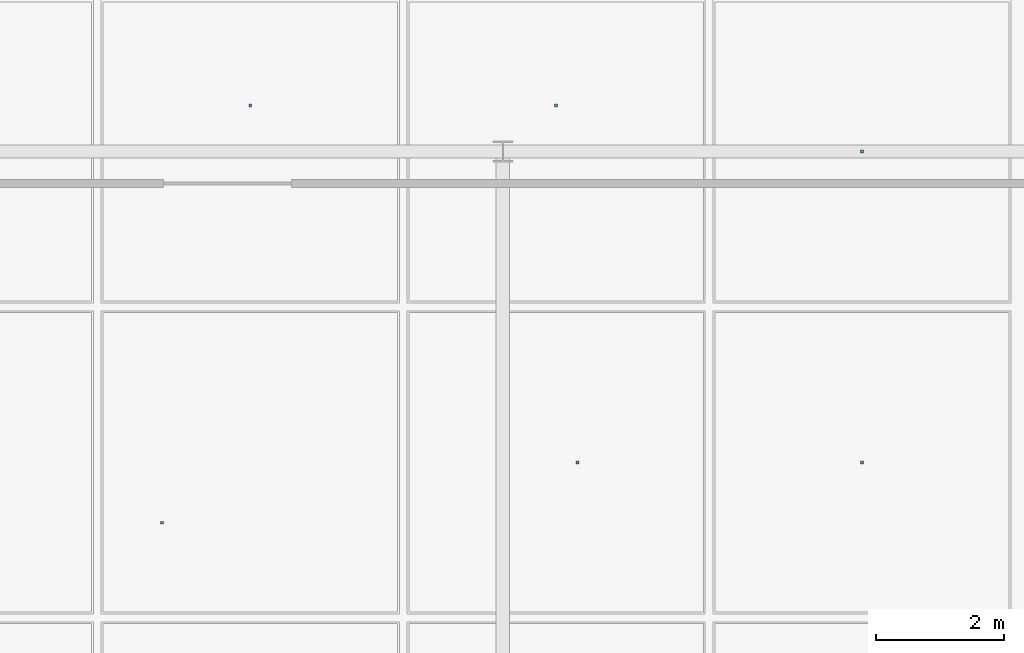
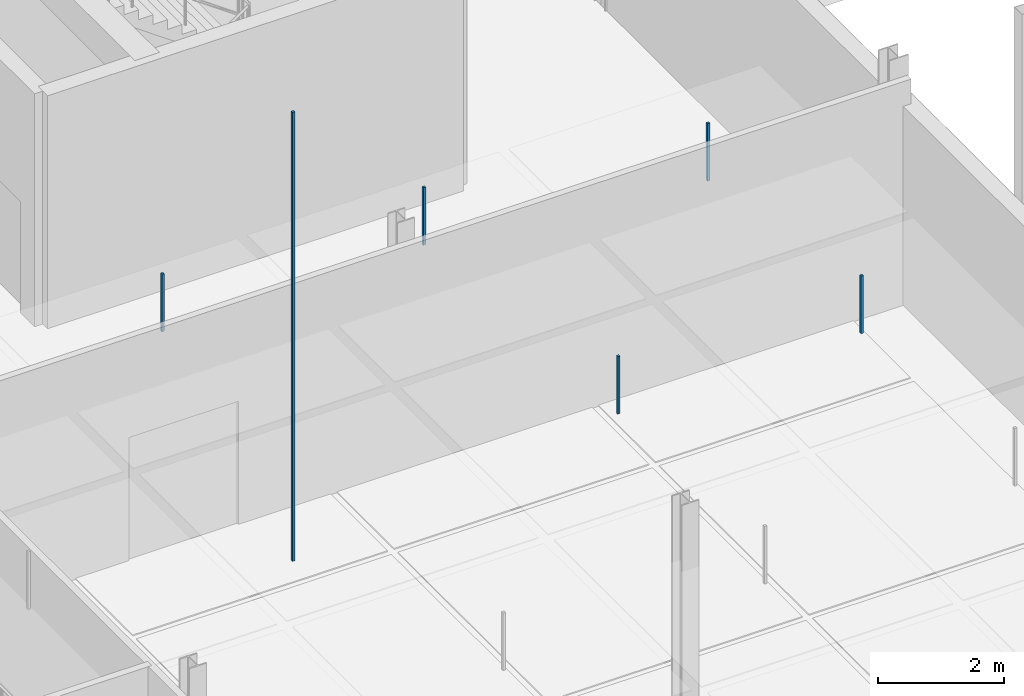
# One storey, part 59 of 89: 6 discrete accessories.
"""IFC4 building model written with IfcOpenShell, lengths in metres."""

from ifc_helpers import new_model, si_unit, direction, frame, origin, origin_2d, place, context, subcontext, project, spatial, rectangle, extrude, material, type_object, element, save


model = new_model("IFC4")

# Units and contexts
model_context = context("Model", 3, precision=1e-05, world=origin(), true_north=direction((0.0, 1.0)))
body_context = subcontext(model_context, "Body", "Model", "MODEL_VIEW")
ifc_project = project(units=[si_unit("LENGTHUNIT", "METRE"), si_unit("AREAUNIT", "SQUARE_METRE"), si_unit("VOLUMEUNIT", "CUBIC_METRE"), si_unit("PLANEANGLEUNIT", "RADIAN"), si_unit("MASSUNIT", "GRAM", prefix="KILO"), si_unit("THERMODYNAMICTEMPERATUREUNIT", "KELVIN"), si_unit("POWERUNIT", "WATT")], contexts=[model_context])

# Site, building, storey
site_placement = place(None, origin())
site = spatial("IfcSite", under=ifc_project, at=site_placement, CompositionType="ELEMENT")
building_placement = place(site_placement, origin())
building = spatial("IfcBuilding", under=site, at=building_placement, Name="Tallowbark Science Centre", CompositionType="ELEMENT")
storey_placement = place(building_placement, frame((0.0, 0.0, 14.39990234375)))
storey = spatial("IfcBuildingStorey", under=building, at=storey_placement, Name="L03", CompositionType="ELEMENT", Elevation=14.39990234375)

# Discrete accessories
ifc_material = material(Name="Galvanised Steel Grade C350L0 (350 MPa)", Category="steel")
discrete_accessory_type = type_object("IfcDiscreteAccessoryType", Name="ACC-CLG-HNG", PredefinedType="BRACKET", material=ifc_material)
discrete_accessory_placement = place(storey_placement, frame((89.17626953125, 16.7001953125, 3.20947265625), z_axis=(0.0, 0.0, 1.0), x_axis=(1.0, 0.0, 0.0)))
element("IfcDiscreteAccessory", 1, at=discrete_accessory_placement, inside=storey, type_object=discrete_accessory_type, Name="Ceiling Hanger Bracket L03-984", PredefinedType="BRACKET", context=body_context, shape_type="SweptSolid", body=[
    extrude(rectangle(XDim=0.044921875, YDim=0.044921875, at=origin_2d()), origin(), (0.0, 0.0, 1.0), 8.677490234375),
])
for number, where, z_axis, x_axis, name in (
    (2, (90.5556640625, 23.21923828125, 3.20947265625), (0.0, 0.0, 1.0), (1.0, 0.0, 0.0), "Ceiling Hanger Bracket L03-985"),
    (3, (95.666015625, 17.642822265625, 3.20947265625), (0.0, 0.0, 1.0), (1.0, 0.0, 0.0), "Ceiling Hanger Bracket L03-988"),
    (4, (95.333251953125, 23.21923828125, 3.20947265625), (0.0, 0.0, 1.0), (1.0, 0.0, 0.0), "Ceiling Hanger Bracket L03-989"),
    (5, (100.111083984375, 17.642822265625, 3.20947265625), (0.0, 0.0, 1.0), (1.0, 0.0, 0.0), "Ceiling Hanger Bracket L03-992"),
    (6, (100.111083984375, 22.5, 3.20947265625), (0.0, 0.0, 1.0), (1.0, 0.0, 0.0), "Ceiling Hanger Bracket L03-993"),
):
    element("IfcDiscreteAccessory", number, at=place(storey_placement, frame(where, z_axis=z_axis, x_axis=x_axis)), inside=storey, type_object=discrete_accessory_type, Name=name, PredefinedType="BRACKET", context=body_context, shape_type="SweptSolid", body=[
        extrude(rectangle(XDim=0.044921875, YDim=0.044921875, at=origin_2d()), origin(), (0.0, 0.0, 1.0), 1.113525390625),
    ])

save(model, "model.ifc")
